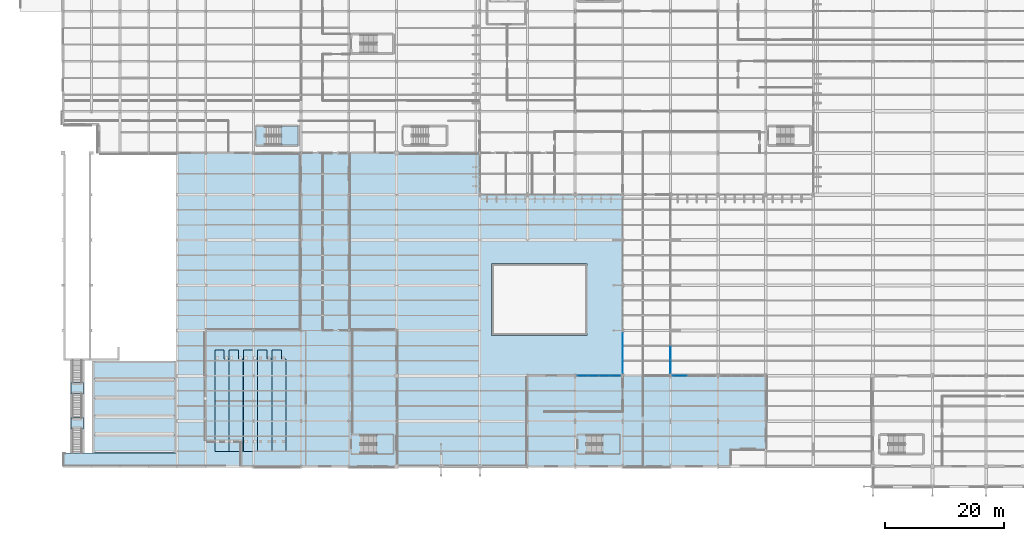
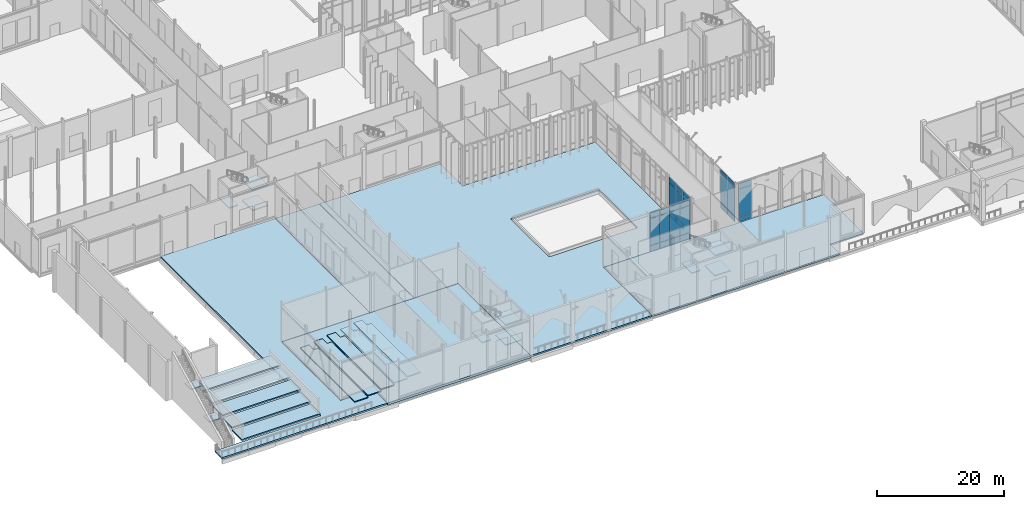
# One storey, part 116 of 176: 30 plates, 26 slabs, 8 elements without a shape of their own.
"""IFC4 building model written with IfcOpenShell, lengths in metres."""

import ifcopenshell
import ifcopenshell.guid

model = None  # the IFC model being written
_history = None  # IfcOwnerHistory: only IFC2X3 demands one
_inside = {}  # id of a spatial element -> (the spatial element, [elements in it])
_under = {}  # id of a project, library or spatial element -> (it, [spatial elements below it])
_declared = {}  # id of a project -> (the project, [libraries it declares])
_typed = {}  # id of a type object -> (the type object, [elements of that type])
_made_of = {}  # id of a material, layer set ... -> (it, [elements and type objects made of it])


def new_model(schema):
    """Start an empty IFC model of exactly this schema.

    Asked for "IFC4X3", IfcOpenShell would pick the latest addendum, in which some entities
    have other attributes; the version numbers below select the first issue.
    IFC2X3 requires an IfcOwnerHistory on every rooted entity: one is made here for all.
    """
    global model, _history
    if schema == "IFC4X3":
        model = ifcopenshell.file(schema_version=(4, 3, 0, 0))
    else:
        model = ifcopenshell.file(schema=schema)
    _inside.clear()
    _under.clear()
    _declared.clear()
    _typed.clear()
    _made_of.clear()
    _history = None
    if model.schema == "IFC2X3":
        org = make("IfcOrganization", Name="unknown")
        user = make(
            "IfcPersonAndOrganization",
            ThePerson=make("IfcPerson", FamilyName="unknown"),
            TheOrganization=org,
        )
        app = make(
            "IfcApplication",
            ApplicationDeveloper=org,
            Version="unknown",
            ApplicationFullName="unknown",
            ApplicationIdentifier="unknown",
        )
        _history = make(
            "IfcOwnerHistory",
            OwningUser=user,
            OwningApplication=app,
            ChangeAction="ADDED",
            CreationDate=0,
        )
    return model


def make(cls, **values):
    """One entity of the class cls with the attributes given. An attribute that is None is left unset."""
    return model.create_entity(
        cls, **{name: value for name, value in values.items() if value is not None}
    )


def rooted(cls, **values):
    """An entity with a GlobalId (a new one), such as an element, a storey or a relation."""
    return make(cls, GlobalId=ifcopenshell.guid.new(), OwnerHistory=_history, **values)


def si_unit(unit_type, name, prefix=None):
    """IfcSIUnit, for example si_unit("LENGTHUNIT", "METRE", prefix="MILLI")."""
    return make("IfcSIUnit", UnitType=unit_type, Prefix=prefix, Name=name)


def assignment(units):
    """IfcUnitAssignment: the units of a project."""
    return None if units is None else make("IfcUnitAssignment", Units=units)


def point(xyz):
    """IfcCartesianPoint."""
    return None if xyz is None else make("IfcCartesianPoint", Coordinates=xyz)


def direction(xyz):
    """IfcDirection."""
    return None if xyz is None else make("IfcDirection", DirectionRatios=xyz)


def frame(location, z_axis=None, x_axis=None):
    """IfcAxis2Placement3D, a coordinate frame: its origin and axes. An axis left out is left unset."""
    return make(
        "IfcAxis2Placement3D",
        Location=point(location),
        Axis=direction(z_axis),
        RefDirection=direction(x_axis),
    )


def frame_2d(location, x_axis=None):
    """IfcAxis2Placement2D, a coordinate frame in the plane: its origin and x axis."""
    return make(
        "IfcAxis2Placement2D", Location=point(location), RefDirection=direction(x_axis)
    )


def origin():
    """The frame at (0, 0, 0) with its axes left unset."""
    return frame((0.0, 0.0, 0.0))


def origin_2d():
    """The frame at (0, 0) in the plane with its x axis left unset."""
    return frame_2d((0.0, 0.0))


def place(relative_to, where):
    """IfcLocalPlacement: puts the frame where relative to a parent placement (None: the world)."""
    return make(
        "IfcLocalPlacement", PlacementRelTo=relative_to, RelativePlacement=where
    )


def context(
    kind, dimensions, precision=None, world=None, true_north=None, identifier=None
):
    """IfcGeometricRepresentationContext, for example the 3D "Model" context."""
    return make(
        "IfcGeometricRepresentationContext",
        ContextIdentifier=identifier,
        ContextType=kind,
        CoordinateSpaceDimension=dimensions,
        Precision=precision,
        WorldCoordinateSystem=world,
        TrueNorth=true_north,
    )


def subcontext(parent, identifier, kind, view, scale=None):
    """IfcGeometricRepresentationSubContext, for example "Body" below "Model"."""
    return make(
        "IfcGeometricRepresentationSubContext",
        ContextIdentifier=identifier,
        ContextType=kind,
        ParentContext=parent,
        TargetScale=scale,
        TargetView=view,
    )


def project(units=None, contexts=None):
    """IfcProject with its units and contexts."""
    return rooted(
        "IfcProject",
        Name="project",
        RepresentationContexts=contexts,
        UnitsInContext=assignment(units),
    )


def spatial(cls, under=None, at=None, **own):
    """A site, building, storey or space (cls), placed at a placement, below another one or the project."""
    s = rooted(cls, ObjectPlacement=at, **own)
    if under is not None:
        _under.setdefault(under.id(), (under, []))[1].append(s)
    return s


def polyline(points):
    """IfcPolyline through the points."""
    return make("IfcPolyline", Points=[point(p) for p in points])


def profile(cls, at=None, kind="AREA", **sizes):
    """A parametric profile (cls). Its sizes go by their IFC names, for example OverallWidth=200.0."""
    return make(cls, ProfileType=kind, Position=at, **sizes)


def rectangle(**sizes):
    """IfcRectangleProfileDef."""
    return profile("IfcRectangleProfileDef", **sizes)


def outline(outer, holes=None, kind="AREA"):
    """IfcArbitraryClosedProfileDef: a profile drawn as a closed curve; with holes, ...WithVoids."""
    if holes is None:
        return make("IfcArbitraryClosedProfileDef", ProfileType=kind, OuterCurve=outer)
    return make(
        "IfcArbitraryProfileDefWithVoids",
        ProfileType=kind,
        OuterCurve=outer,
        InnerCurves=holes,
    )


def extrude(swept, where, along, depth):
    """IfcExtrudedAreaSolid: the profile swept, set in the frame where, extruded along a direction by depth."""
    return make(
        "IfcExtrudedAreaSolid",
        SweptArea=swept,
        Position=where,
        ExtrudedDirection=direction(along),
        Depth=depth,
    )


def shape(context_of_items, identifier, shape_type, items):
    """IfcShapeRepresentation: the items that make up one representation, for example the "Body"."""
    return make(
        "IfcShapeRepresentation",
        ContextOfItems=context_of_items,
        RepresentationIdentifier=identifier,
        RepresentationType=shape_type,
        Items=items,
    )


def material(Name=None, Category=None):
    """IfcMaterial."""
    return make("IfcMaterial", Name=Name, Category=Category)


def layer(
    of_material, thickness, ventilated=None, Name=None, Category=None, Priority=None
):
    """IfcMaterialLayer: one layer of a wall or slab, of a material (None: an air gap)."""
    return make(
        "IfcMaterialLayer",
        Material=of_material,
        LayerThickness=thickness,
        IsVentilated=ventilated,
        Name=Name,
        Category=Category,
        Priority=Priority,
    )


def layer_set(layers, Name=None):
    """IfcMaterialLayerSet."""
    return make("IfcMaterialLayerSet", MaterialLayers=layers, LayerSetName=Name)


def made_of(thing, what):
    """Note that an element or type object is made of a material, layer set ...; save() writes the relation."""
    if what is not None:
        _made_of.setdefault(what.id(), (what, []))[1].append(thing)
    return thing


def type_object(cls, material=None, **own):
    """A type object (cls), such as IfcWallType, which elements share."""
    return made_of(rooted(cls, **own), material)


def element(
    cls,
    number,
    at=None,
    inside=None,
    cuts=None,
    type_object=None,
    material=None,
    context=None,
    identifier="Body",
    shape_type=None,
    held_by="IfcProductDefinitionShape",
    body=None,
    shapes=None,
    **own,
):
    """One element of the class cls, such as IfcWall. Its Tag is "e" and its number.

    at: its placement. inside: the storey or other place that contains it. cuts: it is an
    opening in that element (IfcRelVoidsElement). A single representation is given by context,
    identifier, shape_type and body (its items); several are given by shapes. held_by: the class
    of the entity that holds the representations. save() writes the other relations.
    """
    e = rooted(cls, Tag="e%d" % number, ObjectPlacement=at, **own)
    if body is not None:
        shapes = [shape(context, identifier, shape_type, body)]
    if shapes is not None:
        e.Representation = make(held_by, Representations=shapes)
    if inside is not None:
        _inside.setdefault(inside.id(), (inside, []))[1].append(e)
    if cuts is not None:
        rooted(
            "IfcRelVoidsElement", RelatingBuildingElement=cuts, RelatedOpeningElement=e
        )
    if type_object is not None:
        _typed.setdefault(type_object.id(), (type_object, []))[1].append(e)
    return made_of(e, material)


def aggregate(whole, parts):
    """IfcRelAggregates: a whole, such as a stair, and the parts it consists of."""
    return rooted("IfcRelAggregates", RelatingObject=whole, RelatedObjects=parts)


def save(model, path):
    """Write the relations noted so far, then the file.

    IfcRelAggregates (storeys below a building ...), IfcRelContainedInSpatialStructure (elements
    in a storey), IfcRelDefinesByType, IfcRelAssociatesMaterial and IfcRelDeclares: one each for
    every whole, place, type object, material and project.
    """
    for whole, parts in _under.values():
        aggregate(whole, parts)
    for where, things in _inside.values():
        rooted(
            "IfcRelContainedInSpatialStructure",
            RelatedElements=things,
            RelatingStructure=where,
        )
    for kind, things in _typed.values():
        rooted("IfcRelDefinesByType", RelatedObjects=things, RelatingType=kind)
    for what, things in _made_of.values():
        rooted("IfcRelAssociatesMaterial", RelatedObjects=things, RelatingMaterial=what)
    for by, libraries in _declared.values():
        rooted("IfcRelDeclares", RelatingContext=by, RelatedDefinitions=libraries)
    model.write(path)


model = new_model("IFC4")

# Units and contexts
model_context = context("Model", 3, precision=1e-05, world=origin(), true_north=direction((0.0, 1.0)))
body_context = subcontext(model_context, "Body", "Model", "MODEL_VIEW")
ifc_project = project(units=[si_unit("LENGTHUNIT", "METRE"), si_unit("AREAUNIT", "SQUARE_METRE"), si_unit("VOLUMEUNIT", "CUBIC_METRE"), si_unit("PLANEANGLEUNIT", "RADIAN"), si_unit("MASSUNIT", "GRAM", prefix="KILO")], contexts=[model_context])

# Site, building, storey
site_placement = place(None, origin())
site = spatial("IfcSite", under=ifc_project, at=site_placement, CompositionType="ELEMENT")
building_placement = place(site_placement, origin())
building = spatial("IfcBuilding", under=site, at=building_placement, Name="Vekula Escarpment Museum", CompositionType="ELEMENT")
storey_placement = place(building_placement, origin())
storey = spatial("IfcBuildingStorey", under=building, at=storey_placement, Name="L01", CompositionType="ELEMENT", Elevation=0.0)

# Curtain wall, plates
ifc_material_1 = material(Name="Aluminium thermally broken framing", Category="aluminium")
ifc_layer_1 = layer(ifc_material_1, 0.159912109375)
ifc_layer_set_1 = layer_set([ifc_layer_1], Name="Aluminium thermally broken framing")
curtain_wall_type_1 = type_object("IfcCurtainWallType", Name="CW-SYS-02", PredefinedType="NOTDEFINED", material=ifc_layer_set_1)
curtain_wall_1_placement = place(storey_placement, origin())
curtain_wall_1 = element("IfcCurtainWall", 1, at=curtain_wall_1_placement, inside=storey, type_object=curtain_wall_type_1, Name="Curtain Wall CW-L01-002", PredefinedType="NOTDEFINED")
ifc_material_2 = material(Name="Triple UV-filtered museum gallery glass", Category="glass")
ifc_layer_2 = layer(ifc_material_2, 0.035888671875)
ifc_layer_set_2 = layer_set([ifc_layer_2], Name="Triple UV-filtered museum gallery glass")
plate_type_1 = type_object("IfcPlateType", Name="CW-PNL-36", PredefinedType="CURTAIN_PANEL", material=ifc_layer_set_2)
plate_1_placement = place(storey_placement, frame((103.589599609375, 15.199951171875, 0.06494140625), z_axis=(0.0, 0.0, 1.0), x_axis=(-1.0, 0.0, 0.0)))
plate_1 = element("IfcPlate", 2, at=plate_1_placement, type_object=plate_type_1, Name="CW-02 panel 3.1", PredefinedType="CURTAIN_PANEL", context=body_context, shape_type="SweptSolid", body=[
    extrude(rectangle(XDim=2.3291015625, YDim=0.035888671875, at=origin_2d()), origin(), (0.0, 0.0, 1.0), 1.1025390625),
])
plate_2_placement = place(storey_placement, frame((103.589599609375, 15.199951171875, 1.232421875), z_axis=(0.0, 0.0, 1.0), x_axis=(-1.0, 0.0, 0.0)))
plate_2 = element("IfcPlate", 3, at=plate_2_placement, type_object=plate_type_1, Name="CW-02 panel 3.2", PredefinedType="CURTAIN_PANEL", context=body_context, shape_type="SweptSolid", body=[
    extrude(rectangle(XDim=2.3291015625, YDim=0.035888671875, at=origin_2d()), origin(), (0.0, 0.0, 1.0), 5.175048828125),
])
plate_3_placement = place(storey_placement, frame((103.589599609375, 15.199951171875, 6.472412109375), z_axis=(0.0, 0.0, 1.0), x_axis=(-1.0, 0.0, 0.0)))
plate_3 = element("IfcPlate", 4, at=plate_3_placement, type_object=plate_type_1, Name="CW-02 panel 3.3", PredefinedType="CURTAIN_PANEL", context=body_context, shape_type="SweptSolid", body=[
    extrude(rectangle(XDim=2.3291015625, YDim=0.035888671875, at=origin_2d()), origin(), (0.0, 0.0, 1.0), 1.00244140625),
])
aggregate(curtain_wall_1, [plate_1, plate_2, plate_3])

ifc_material_3 = material(Name="Aluminium thermally broken framing", Category="aluminium")
ifc_layer_3 = layer(ifc_material_3, 0.169921875)
ifc_layer_set_3 = layer_set([ifc_layer_3], Name="Aluminium thermally broken framing")
curtain_wall_type_2 = type_object("IfcCurtainWallType", Name="CW-SYS-10", PredefinedType="NOTDEFINED", material=ifc_layer_set_3)
curtain_wall_2_placement = place(storey_placement, origin())
curtain_wall_2 = element("IfcCurtainWall", 5, at=curtain_wall_2_placement, inside=storey, type_object=curtain_wall_type_2, Name="Curtain Wall CW-L01-050", PredefinedType="NOTDEFINED")
plate_4_placement = place(storey_placement, frame((94.0, 21.277099609375, 0.06494140625), z_axis=(0.0, 0.0, 1.0), x_axis=(0.0, -1.0, 0.0)))
plate_4 = element("IfcPlate", 6, at=plate_4_placement, type_object=plate_type_1, Name="CW-10 panel 1.1", PredefinedType="CURTAIN_PANEL", context=body_context, shape_type="SweptSolid", body=[
    extrude(rectangle(XDim=2.19580078125, YDim=0.035888671875, at=origin_2d()), origin(), (0.0, 0.0, 1.0), 1.1025390625),
])
plate_5_placement = place(storey_placement, frame((94.0, 21.277099609375, 1.232421875), z_axis=(0.0, 0.0, 1.0), x_axis=(0.0, -1.0, 0.0)))
plate_5 = element("IfcPlate", 7, at=plate_5_placement, type_object=plate_type_1, Name="CW-10 panel 1.2", PredefinedType="CURTAIN_PANEL", context=body_context, shape_type="SweptSolid", body=[
    extrude(rectangle(XDim=2.19580078125, YDim=0.035888671875, at=origin_2d()), origin(), (0.0, 0.0, 1.0), 5.175048828125),
])
plate_6_placement = place(storey_placement, frame((94.0, 21.277099609375, 6.472412109375), z_axis=(0.0, 0.0, 1.0), x_axis=(0.0, -1.0, 0.0)))
plate_6 = element("IfcPlate", 8, at=plate_6_placement, type_object=plate_type_1, Name="CW-10 panel 1.3", PredefinedType="CURTAIN_PANEL", context=body_context, shape_type="SweptSolid", body=[
    extrude(rectangle(XDim=2.19580078125, YDim=0.035888671875, at=origin_2d()), origin(), (0.0, 0.0, 1.0), 1.00244140625),
])
plate_7_placement = place(storey_placement, frame((94.0, 19.0, 0.06494140625), z_axis=(0.0, 0.0, 1.0), x_axis=(0.0, -1.0, 0.0)))
plate_7 = element("IfcPlate", 9, at=plate_7_placement, type_object=plate_type_1, Name="CW-10 panel 2.1", PredefinedType="CURTAIN_PANEL", context=body_context, shape_type="SweptSolid", body=[
    extrude(rectangle(XDim=2.228271484375, YDim=0.035888671875, at=origin_2d()), origin(), (0.0, 0.0, 1.0), 1.1025390625),
])
plate_8_placement = place(storey_placement, frame((94.0, 19.0, 1.232421875), z_axis=(0.0, 0.0, 1.0), x_axis=(0.0, -1.0, 0.0)))
plate_8 = element("IfcPlate", 10, at=plate_8_placement, type_object=plate_type_1, Name="CW-10 panel 2.2", PredefinedType="CURTAIN_PANEL", context=body_context, shape_type="SweptSolid", body=[
    extrude(rectangle(XDim=2.228271484375, YDim=0.035888671875, at=origin_2d()), origin(), (0.0, 0.0, 1.0), 5.175048828125),
])
plate_9_placement = place(storey_placement, frame((94.0, 19.0, 6.472412109375), z_axis=(0.0, 0.0, 1.0), x_axis=(0.0, -1.0, 0.0)))
plate_9 = element("IfcPlate", 11, at=plate_9_placement, type_object=plate_type_1, Name="CW-10 panel 2.3", PredefinedType="CURTAIN_PANEL", context=body_context, shape_type="SweptSolid", body=[
    extrude(rectangle(XDim=2.228271484375, YDim=0.035888671875, at=origin_2d()), origin(), (0.0, 0.0, 1.0), 1.00244140625),
])
plate_10_placement = place(storey_placement, frame((94.0, 16.722900390625, 0.06494140625), z_axis=(0.0, 0.0, 1.0), x_axis=(0.0, -1.0, 0.0)))
plate_10 = element("IfcPlate", 12, at=plate_10_placement, type_object=plate_type_1, Name="CW-10 panel 3.1", PredefinedType="CURTAIN_PANEL", context=body_context, shape_type="SweptSolid", body=[
    extrude(rectangle(XDim=2.19580078125, YDim=0.035888671875, at=origin_2d()), origin(), (0.0, 0.0, 1.0), 1.1025390625),
])
plate_11_placement = place(storey_placement, frame((94.0, 16.722900390625, 1.232421875), z_axis=(0.0, 0.0, 1.0), x_axis=(0.0, -1.0, 0.0)))
plate_11 = element("IfcPlate", 13, at=plate_11_placement, type_object=plate_type_1, Name="CW-10 panel 3.2", PredefinedType="CURTAIN_PANEL", context=body_context, shape_type="SweptSolid", body=[
    extrude(rectangle(XDim=2.19580078125, YDim=0.035888671875, at=origin_2d()), origin(), (0.0, 0.0, 1.0), 5.175048828125),
])
plate_12_placement = place(storey_placement, frame((94.0, 16.722900390625, 6.472412109375), z_axis=(0.0, 0.0, 1.0), x_axis=(0.0, -1.0, 0.0)))
plate_12 = element("IfcPlate", 14, at=plate_12_placement, type_object=plate_type_1, Name="CW-10 panel 3.3", PredefinedType="CURTAIN_PANEL", context=body_context, shape_type="SweptSolid", body=[
    extrude(rectangle(XDim=2.19580078125, YDim=0.035888671875, at=origin_2d()), origin(), (0.0, 0.0, 1.0), 1.00244140625),
])
aggregate(curtain_wall_2, [plate_4, plate_5, plate_6, plate_7, plate_8, plate_9, plate_10, plate_11, plate_12])

ifc_material_4 = material(Name="Aluminium thermally broken framing", Category="aluminium")
ifc_layer_4 = layer(ifc_material_4, 0.199951171875)
ifc_layer_set_4 = layer_set([ifc_layer_4], Name="Aluminium thermally broken framing")
curtain_wall_type_3 = type_object("IfcCurtainWallType", Name="CW-SYS-03", PredefinedType="NOTDEFINED", material=ifc_layer_set_4)
curtain_wall_3_placement = place(storey_placement, origin())
curtain_wall_3 = element("IfcCurtainWall", 15, at=curtain_wall_3_placement, inside=storey, type_object=curtain_wall_type_3, Name="Curtain Wall CW-L01-003", PredefinedType="NOTDEFINED")
ifc_material_5 = material(Name="Insulated bronze spandrel glass panel", Category="glass")
ifc_layer_5 = layer(ifc_material_5, 0.0400390625)
ifc_layer_set_5 = layer_set([ifc_layer_5], Name="Insulated bronze spandrel glass panel")
plate_type_2 = type_object("IfcPlateType", Name="CW-PNL-40", PredefinedType="CURTAIN_PANEL", material=ifc_layer_set_5)
plate_13_placement = place(storey_placement, frame((102.0, 16.722900390625, 0.06494140625), z_axis=(0.0, 0.0, 1.0), x_axis=(0.0, 1.0, 0.0)))
plate_13 = element("IfcPlate", 16, at=plate_13_placement, type_object=plate_type_2, Name="CW-03 panel 1.1", PredefinedType="CURTAIN_PANEL", context=body_context, shape_type="SweptSolid", body=[
    extrude(rectangle(XDim=2.19580078125, YDim=0.0400390625, at=origin_2d()), origin(), (0.0, 0.0, 1.0), 1.1025390625),
])
plate_14_placement = place(storey_placement, frame((102.0, 16.722900390625, 1.232421875), z_axis=(0.0, 0.0, 1.0), x_axis=(0.0, 1.0, 0.0)))
plate_14 = element("IfcPlate", 17, at=plate_14_placement, type_object=plate_type_2, Name="CW-03 panel 1.2", PredefinedType="CURTAIN_PANEL", context=body_context, shape_type="SweptSolid", body=[
    extrude(rectangle(XDim=2.19580078125, YDim=0.0400390625, at=origin_2d()), origin(), (0.0, 0.0, 1.0), 5.175048828125),
])
plate_15_placement = place(storey_placement, frame((102.0, 16.722900390625, 6.472412109375), z_axis=(0.0, 0.0, 1.0), x_axis=(0.0, 1.0, 0.0)))
plate_15 = element("IfcPlate", 18, at=plate_15_placement, type_object=plate_type_2, Name="CW-03 panel 1.3", PredefinedType="CURTAIN_PANEL", context=body_context, shape_type="SweptSolid", body=[
    extrude(rectangle(XDim=2.19580078125, YDim=0.0400390625, at=origin_2d()), origin(), (0.0, 0.0, 1.0), 1.00244140625),
])
plate_16_placement = place(storey_placement, frame((102.0, 19.0, 0.06494140625), z_axis=(0.0, 0.0, 1.0), x_axis=(0.0, 1.0, 0.0)))
plate_16 = element("IfcPlate", 19, at=plate_16_placement, type_object=plate_type_2, Name="CW-03 panel 2.1", PredefinedType="CURTAIN_PANEL", context=body_context, shape_type="SweptSolid", body=[
    extrude(rectangle(XDim=2.228271484375, YDim=0.0400390625, at=origin_2d()), origin(), (0.0, 0.0, 1.0), 1.1025390625),
])
plate_17_placement = place(storey_placement, frame((102.0, 19.0, 1.232421875), z_axis=(0.0, 0.0, 1.0), x_axis=(0.0, 1.0, 0.0)))
plate_17 = element("IfcPlate", 20, at=plate_17_placement, type_object=plate_type_2, Name="CW-03 panel 2.2", PredefinedType="CURTAIN_PANEL", context=body_context, shape_type="SweptSolid", body=[
    extrude(rectangle(XDim=2.228271484375, YDim=0.0400390625, at=origin_2d()), origin(), (0.0, 0.0, 1.0), 5.175048828125),
])
plate_18_placement = place(storey_placement, frame((102.0, 19.0, 6.472412109375), z_axis=(0.0, 0.0, 1.0), x_axis=(0.0, 1.0, 0.0)))
plate_18 = element("IfcPlate", 21, at=plate_18_placement, type_object=plate_type_2, Name="CW-03 panel 2.3", PredefinedType="CURTAIN_PANEL", context=body_context, shape_type="SweptSolid", body=[
    extrude(rectangle(XDim=2.228271484375, YDim=0.0400390625, at=origin_2d()), origin(), (0.0, 0.0, 1.0), 1.00244140625),
])
aggregate(curtain_wall_3, [plate_13, plate_14, plate_15, plate_16, plate_17, plate_18])

ifc_material_6 = material(Name="Aluminium thermally broken framing", Category="aluminium")
ifc_layer_6 = layer(ifc_material_6, 0.159912109375)
ifc_layer_set_6 = layer_set([ifc_layer_6], Name="Aluminium thermally broken framing")
curtain_wall_type_4 = type_object("IfcCurtainWallType", Name="CW-SYS-01", PredefinedType="NOTDEFINED", material=ifc_layer_set_6)
curtain_wall_4_placement = place(storey_placement, origin())
curtain_wall_4 = element("IfcCurtainWall", 22, at=curtain_wall_4_placement, inside=storey, type_object=curtain_wall_type_4, Name="Curtain Wall CW-L01-051", PredefinedType="NOTDEFINED")
plate_19_placement = place(storey_placement, frame((92.7138671875, 15.199951171875, 0.06494140625), z_axis=(0.0, 0.0, 1.0), x_axis=(-1.0, 0.0, 0.0)))
plate_19 = element("IfcPlate", 23, at=plate_19_placement, type_object=plate_type_2, Name="CW-01 panel 1.1", PredefinedType="CURTAIN_PANEL", context=body_context, shape_type="SweptSolid", body=[
    extrude(rectangle(XDim=1.722412109375, YDim=0.0400390625, at=origin_2d()), origin(), (0.0, 0.0, 1.0), 1.1025390625),
])
plate_20_placement = place(storey_placement, frame((92.7138671875, 15.199951171875, 1.232421875), z_axis=(0.0, 0.0, 1.0), x_axis=(-1.0, 0.0, 0.0)))
plate_20 = element("IfcPlate", 24, at=plate_20_placement, type_object=plate_type_2, Name="CW-01 panel 1.2", PredefinedType="CURTAIN_PANEL", context=body_context, shape_type="SweptSolid", body=[
    extrude(rectangle(XDim=1.722412109375, YDim=0.0400390625, at=origin_2d()), origin(), (0.0, 0.0, 1.0), 5.175048828125),
])
plate_21_placement = place(storey_placement, frame((92.7138671875, 15.199951171875, 6.472412109375), z_axis=(0.0, 0.0, 1.0), x_axis=(-1.0, 0.0, 0.0)))
plate_21 = element("IfcPlate", 25, at=plate_21_placement, type_object=plate_type_2, Name="CW-01 panel 1.3", PredefinedType="CURTAIN_PANEL", context=body_context, shape_type="SweptSolid", body=[
    extrude(rectangle(XDim=1.722412109375, YDim=0.0400390625, at=origin_2d()), origin(), (0.0, 0.0, 1.0), 1.00244140625),
])
plate_22_placement = place(storey_placement, frame((90.909912109375, 15.199951171875, 0.06494140625), z_axis=(0.0, 0.0, 1.0), x_axis=(-1.0, 0.0, 0.0)))
plate_22 = element("IfcPlate", 26, at=plate_22_placement, type_object=plate_type_2, Name="CW-01 panel 2.1", PredefinedType="CURTAIN_PANEL", context=body_context, shape_type="SweptSolid", body=[
    extrude(rectangle(XDim=1.7548828125, YDim=0.0400390625, at=origin_2d()), origin(), (0.0, 0.0, 1.0), 1.1025390625),
])
plate_23_placement = place(storey_placement, frame((90.909912109375, 15.199951171875, 1.232421875), z_axis=(0.0, 0.0, 1.0), x_axis=(-1.0, 0.0, 0.0)))
plate_23 = element("IfcPlate", 27, at=plate_23_placement, type_object=plate_type_2, Name="CW-01 panel 2.2", PredefinedType="CURTAIN_PANEL", context=body_context, shape_type="SweptSolid", body=[
    extrude(rectangle(XDim=1.7548828125, YDim=0.0400390625, at=origin_2d()), origin(), (0.0, 0.0, 1.0), 5.175048828125),
])
plate_24_placement = place(storey_placement, frame((90.909912109375, 15.199951171875, 6.472412109375), z_axis=(0.0, 0.0, 1.0), x_axis=(-1.0, 0.0, 0.0)))
plate_24 = element("IfcPlate", 28, at=plate_24_placement, type_object=plate_type_2, Name="CW-01 panel 2.3", PredefinedType="CURTAIN_PANEL", context=body_context, shape_type="SweptSolid", body=[
    extrude(rectangle(XDim=1.7548828125, YDim=0.0400390625, at=origin_2d()), origin(), (0.0, 0.0, 1.0), 1.00244140625),
])
plate_25_placement = place(storey_placement, frame((89.090087890625, 15.199951171875, 0.06494140625), z_axis=(0.0, 0.0, 1.0), x_axis=(-1.0, 0.0, 0.0)))
plate_25 = element("IfcPlate", 29, at=plate_25_placement, type_object=plate_type_2, Name="CW-01 panel 3.1", PredefinedType="CURTAIN_PANEL", context=body_context, shape_type="SweptSolid", body=[
    extrude(rectangle(XDim=1.7548828125, YDim=0.0400390625, at=origin_2d()), origin(), (0.0, 0.0, 1.0), 1.1025390625),
])
plate_26_placement = place(storey_placement, frame((89.090087890625, 15.199951171875, 1.232421875), z_axis=(0.0, 0.0, 1.0), x_axis=(-1.0, 0.0, 0.0)))
plate_26 = element("IfcPlate", 30, at=plate_26_placement, type_object=plate_type_2, Name="CW-01 panel 3.2", PredefinedType="CURTAIN_PANEL", context=body_context, shape_type="SweptSolid", body=[
    extrude(rectangle(XDim=1.7548828125, YDim=0.0400390625, at=origin_2d()), origin(), (0.0, 0.0, 1.0), 5.175048828125),
])
plate_27_placement = place(storey_placement, frame((89.090087890625, 15.199951171875, 6.472412109375), z_axis=(0.0, 0.0, 1.0), x_axis=(-1.0, 0.0, 0.0)))
plate_27 = element("IfcPlate", 31, at=plate_27_placement, type_object=plate_type_2, Name="CW-01 panel 3.3", PredefinedType="CURTAIN_PANEL", context=body_context, shape_type="SweptSolid", body=[
    extrude(rectangle(XDim=1.7548828125, YDim=0.0400390625, at=origin_2d()), origin(), (0.0, 0.0, 1.0), 1.00244140625),
])
plate_28_placement = place(storey_placement, frame((87.2861328125, 15.199951171875, 0.06494140625), z_axis=(0.0, 0.0, 1.0), x_axis=(-1.0, 0.0, 0.0)))
plate_28 = element("IfcPlate", 32, at=plate_28_placement, type_object=plate_type_2, Name="CW-01 panel 4.1", PredefinedType="CURTAIN_PANEL", context=body_context, shape_type="SweptSolid", body=[
    extrude(rectangle(XDim=1.722412109375, YDim=0.0400390625, at=origin_2d()), origin(), (0.0, 0.0, 1.0), 1.1025390625),
])
plate_29_placement = place(storey_placement, frame((87.2861328125, 15.199951171875, 1.232421875), z_axis=(0.0, 0.0, 1.0), x_axis=(-1.0, 0.0, 0.0)))
plate_29 = element("IfcPlate", 33, at=plate_29_placement, type_object=plate_type_2, Name="CW-01 panel 4.2", PredefinedType="CURTAIN_PANEL", context=body_context, shape_type="SweptSolid", body=[
    extrude(rectangle(XDim=1.722412109375, YDim=0.0400390625, at=origin_2d()), origin(), (0.0, 0.0, 1.0), 5.175048828125),
])
plate_30_placement = place(storey_placement, frame((87.2861328125, 15.199951171875, 6.472412109375), z_axis=(0.0, 0.0, 1.0), x_axis=(-1.0, 0.0, 0.0)))
plate_30 = element("IfcPlate", 34, at=plate_30_placement, type_object=plate_type_2, Name="CW-01 panel 4.3", PredefinedType="CURTAIN_PANEL", context=body_context, shape_type="SweptSolid", body=[
    extrude(rectangle(XDim=1.722412109375, YDim=0.0400390625, at=origin_2d()), origin(), (0.0, 0.0, 1.0), 1.00244140625),
])
aggregate(curtain_wall_4, [plate_19, plate_20, plate_21, plate_22, plate_23, plate_24, plate_25, plate_26, plate_27, plate_28, plate_29, plate_30])

# Slabs
ifc_material_7 = material(Name="Precast concrete C40/50", Category="concrete")
ifc_layer_7 = layer(ifc_material_7, 0.25)
ifc_layer_set_7 = layer_set([ifc_layer_7], Name="Precast concrete C40/50")
slab_type_1 = type_object("IfcSlabType", Name="SL-AMP-SEAT", PredefinedType="FLOOR", material=ifc_layer_set_7)
slab_1_placement = place(storey_placement, frame((0.0, 0.0, 0.199951171875)))
element("IfcSlab", 35, at=slab_1_placement, inside=storey, type_object=slab_type_1, Name="Stepped Sandstone Plinth Ledge AMP-SEAT-01", PredefinedType="FLOOR", context=body_context, shape_type="SweptSolid", body=[
    extrude(outline(polyline([(4.89990234375, 2.25), (19.10009765625, 2.25), (19.10009765625, 5.300048828125), (4.89990234375, 5.300048828125), (4.89990234375, 2.25)])), origin(), (0.0, 0.0, 1.0), 0.25),
])
slab_2_placement = place(storey_placement, frame((0.0, 0.0, 0.64990234375)))
element("IfcSlab", 36, at=slab_2_placement, inside=storey, type_object=slab_type_1, Name="Stepped Sandstone Plinth Ledge AMP-SEAT-02", PredefinedType="FLOOR", context=body_context, shape_type="SweptSolid", body=[
    extrude(outline(polyline([(4.89990234375, 5.330078125), (19.10009765625, 5.330078125), (19.10009765625, 8.39990234375), (4.89990234375, 8.39990234375), (4.89990234375, 5.330078125)])), origin(), (0.0, 0.0, 1.0), 0.25),
])
slab_3_placement = place(storey_placement, frame((0.0, 0.0, 1.10009765625)))
element("IfcSlab", 37, at=slab_3_placement, inside=storey, type_object=slab_type_1, Name="Stepped Sandstone Plinth Ledge AMP-SEAT-03", PredefinedType="FLOOR", context=body_context, shape_type="SweptSolid", body=[
    extrude(outline(polyline([(4.89990234375, 8.429931640625), (19.10009765625, 8.429931640625), (19.10009765625, 11.5), (4.89990234375, 11.5), (4.89990234375, 8.429931640625)])), origin(), (0.0, 0.0, 1.0), 0.25),
])
slab_4_placement = place(storey_placement, frame((0.0, 0.0, 1.550048828125)))
element("IfcSlab", 38, at=slab_4_placement, inside=storey, type_object=slab_type_1, Name="Stepped Sandstone Plinth Ledge AMP-SEAT-04", PredefinedType="FLOOR", context=body_context, shape_type="SweptSolid", body=[
    extrude(outline(polyline([(4.89990234375, 11.530029296875), (19.10009765625, 11.530029296875), (19.10009765625, 14.60009765625), (4.89990234375, 14.60009765625), (4.89990234375, 11.530029296875)])), origin(), (0.0, 0.0, 1.0), 0.25),
])
slab_5_placement = place(storey_placement, frame((0.0, 0.0, 2.0)))
element("IfcSlab", 39, at=slab_5_placement, inside=storey, type_object=slab_type_1, Name="Stepped Sandstone Plinth Ledge AMP-SEAT-05", PredefinedType="FLOOR", context=body_context, shape_type="SweptSolid", body=[
    extrude(outline(polyline([(4.89990234375, 14.6298828125), (19.10009765625, 14.6298828125), (19.10009765625, 17.719970703125), (4.89990234375, 17.719970703125), (4.89990234375, 14.6298828125)])), origin(), (0.0, 0.0, 1.0), 0.25),
])
ifc_material_8 = material(Name="Precast concrete C40/50", Category="concrete")
ifc_layer_8 = layer(ifc_material_8, 0.179931640625)
ifc_layer_set_8 = layer_set([ifc_layer_8], Name="Precast concrete C40/50")
slab_type_2 = type_object("IfcSlabType", Name="SL-AUD-180", PredefinedType="FLOOR", material=ifc_layer_set_8)
slab_6_placement = place(storey_placement, frame((0.0, 0.0, 0.179931640625)))
element("IfcSlab", 40, at=slab_6_placement, inside=storey, type_object=slab_type_2, Name="Auditorium Stepped Deck 01", PredefinedType="FLOOR", context=body_context, shape_type="SweptSolid", body=[
    extrude(outline(polyline([(25.5, 2.5), (27.8798828125, 2.5), (27.8798828125, 18.0), (27.080078125, 18.0), (27.080078125, 19.5), (25.5, 19.5), (25.5, 2.5)])), origin(), (0.0, 0.0, 1.0), 0.18017578125),
])
slab_7_placement = place(storey_placement, frame((0.0, 0.0, 0.5400390625)))
element("IfcSlab", 41, at=slab_7_placement, inside=storey, type_object=slab_type_2, Name="Auditorium Stepped Deck 02", PredefinedType="FLOOR", context=body_context, shape_type="SweptSolid", body=[
    extrude(outline(polyline([(27.89990234375, 2.5), (30.280029296875, 2.5), (30.280029296875, 18.0), (29.47998046875, 18.0), (29.47998046875, 19.5), (27.89990234375, 19.5), (27.89990234375, 2.5)])), origin(), (0.0, 0.0, 1.0), 0.179931640625),
])
slab_8_placement = place(storey_placement, frame((0.0, 0.0, 0.89990234375)))
element("IfcSlab", 42, at=slab_8_placement, inside=storey, type_object=slab_type_2, Name="Auditorium Stepped Deck 03", PredefinedType="FLOOR", context=body_context, shape_type="SweptSolid", body=[
    extrude(outline(polyline([(30.300048828125, 2.5), (32.679931640625, 2.5), (32.679931640625, 18.0), (31.8798828125, 18.0), (31.8798828125, 19.5), (30.300048828125, 19.5), (30.300048828125, 2.5)])), origin(), (0.0, 0.0, 1.0), 0.18017578125),
])
slab_9_placement = place(storey_placement, frame((0.0, 0.0, 1.260009765625)))
element("IfcSlab", 43, at=slab_9_placement, inside=storey, type_object=slab_type_2, Name="Auditorium Stepped Deck 04", PredefinedType="FLOOR", context=body_context, shape_type="SweptSolid", body=[
    extrude(outline(polyline([(32.699951171875, 2.5), (35.080078125, 2.5), (35.080078125, 18.0), (34.280029296875, 18.0), (34.280029296875, 19.5), (32.699951171875, 19.5), (32.699951171875, 2.5)])), origin(), (0.0, 0.0, 1.0), 0.179931640625),
])
slab_10_placement = place(storey_placement, frame((0.0, 0.0, 1.6201171875)))
element("IfcSlab", 44, at=slab_10_placement, inside=storey, type_object=slab_type_2, Name="Auditorium Stepped Deck 05", PredefinedType="FLOOR", context=body_context, shape_type="SweptSolid", body=[
    extrude(outline(polyline([(35.10009765625, 2.5), (37.47998046875, 2.5), (37.47998046875, 18.0), (36.679931640625, 18.0), (36.679931640625, 19.5), (35.10009765625, 19.5), (35.10009765625, 2.5)])), origin(), (0.0, 0.0, 1.0), 0.179931640625),
])
ifc_material_9 = material(Name="Concrete C35/45", Category="concrete")
ifc_layer_9 = layer(ifc_material_9, 0.449951171875)
ifc_layer_set_9 = layer_set([ifc_layer_9], Name="Concrete C35/45")
slab_type_3 = type_object("IfcSlabType", Name="SL-BASE-450", PredefinedType="FLOOR", material=ifc_layer_set_9)
slab_11_placement = place(storey_placement, frame((0.0, 0.0, -0.449951171875)))
element("IfcSlab", 45, at=slab_11_placement, inside=storey, type_object=slab_type_3, Name="Floor Slab W-L01-V4-SW", PredefinedType="FLOOR", context=body_context, shape_type="SweptSolid", body=[
    extrude(outline(polyline([(30.0, 0.0), (56.0, 0.0), (56.0, 22.800048828125), (24.0, 22.800048828125), (24.0, 4.33203125), (30.0, 4.33203125), (30.0, 0.0)])), origin(), (0.0, 0.0, 1.0), 0.449951171875),
])
ifc_material_10 = material(Name="Concrete C35/45", Category="concrete")
ifc_layer_10 = layer(ifc_material_10, 0.300048828125)
ifc_layer_set_10 = layer_set([ifc_layer_10], Name="Concrete C35/45")
slab_type_4 = type_object("IfcSlabType", Name="SL-FLR-300", PredefinedType="FLOOR", material=ifc_layer_set_10)
slab_12_placement = place(storey_placement, frame((0.0, 0.0, -0.300048828125)))
element("IfcSlab", 46, at=slab_12_placement, inside=storey, type_object=slab_type_4, Name="Floor Slab W-L01-V4-SLK", PredefinedType="FLOOR", context=body_context, shape_type="SweptSolid", body=[
    extrude(outline(polyline([(40.0, 22.800048828125), (48.0, 22.800048828125), (48.0, 52.60009765625), (40.0, 52.60009765625), (40.0, 22.800048828125)])), origin(), (0.0, 0.0, 1.0), 0.300048828125),
])
slab_13_placement = place(storey_placement, frame((0.0, 0.0, -0.300048828125)))
element("IfcSlab", 47, at=slab_13_placement, inside=storey, type_object=slab_type_4, Name="Floor Slab W-L01-V2-S", PredefinedType="FLOOR", context=body_context, shape_type="SweptSolid", body=[
    extrude(outline(polyline([(78.0, 0.0), (112.0, 0.0), (112.0, 2.887939453125), (118.0, 2.887939453125), (118.0, 15.199951171875), (78.0, 15.199951171875), (78.0, 0.0)])), origin(), (0.0, 0.0, 1.0), 0.300048828125),
])

# Stair, slabs
ifc_material_11 = material(Name="Precast concrete C40/50", Category="concrete")
stair_type_1 = type_object("IfcStairType", Name="STR-AMP-165", PredefinedType="STRAIGHT_RUN_STAIR", material=ifc_material_11)
stair_1_placement = place(storey_placement, origin())
stair_1 = element("IfcStair", 48, at=stair_1_placement, inside=storey, type_object=stair_type_1, Name="South Escarpment Plinth Stair Tier 1 ST-AMP-S1", PredefinedType="STRAIGHT_RUN_STAIR")
ifc_material_12 = material(Name="Concrete C35/45", Category="concrete")
ifc_layer_11 = layer(ifc_material_12, 0.199951171875)
ifc_layer_set_11 = layer_set([ifc_layer_11], Name="Concrete C35/45")
slab_type_5 = type_object("IfcSlabType", Name="SL-LAND-200", PredefinedType="LANDING", material=ifc_layer_set_11)
slab_14_placement = place(storey_placement, frame((0.0, 0.0, 2.458984375)))
slab_14 = element("IfcSlab", 49, at=slab_14_placement, type_object=slab_type_5, Name="ST-AMP-S1 landing 1", PredefinedType="LANDING", context=body_context, shape_type="SweptSolid", body=[
    extrude(outline(polyline([(1.35009765625, 6.22998046875), (3.449951171875, 6.22998046875), (3.449951171875, 8.159912109375), (1.35009765625, 8.159912109375), (1.35009765625, 6.22998046875)])), origin(), (0.0, 0.0, 1.0), 0.2001953125),
])
slab_15_placement = place(storey_placement, frame((0.0, 0.0, 5.1181640625)))
slab_15 = element("IfcSlab", 50, at=slab_15_placement, type_object=slab_type_5, Name="ST-AMP-S1 landing 2", PredefinedType="LANDING", context=body_context, shape_type="SweptSolid", body=[
    extrude(outline(polyline([(1.35009765625, 12.139892578125), (3.449951171875, 12.139892578125), (3.449951171875, 14.070068359375), (1.35009765625, 14.070068359375), (1.35009765625, 12.139892578125)])), origin(), (0.0, 0.0, 1.0), 0.199951171875),
])
aggregate(stair_1, [slab_14, slab_15])

ifc_material_13 = material(Name="Concrete C35/45", Category="concrete")
stair_type_2 = type_object("IfcStairType", Name="STR-TYPE-142", PredefinedType="HALF_TURN_STAIR", material=ifc_material_13)
stair_2_placement = place(storey_placement, origin())
stair_2 = element("IfcStair", 51, at=stair_2_placement, inside=storey, type_object=stair_type_2, Name="L01 Plinth West Exit Stair ST-04", PredefinedType="HALF_TURN_STAIR")
slab_16_placement = place(storey_placement, frame((0.0, 0.0, 1.75)))
slab_16 = element("IfcSlab", 52, at=slab_16_placement, type_object=slab_type_5, Name="ST-04 landing 1", PredefinedType="LANDING", context=body_context, shape_type="SweptSolid", body=[
    extrude(outline(polyline([(36.6298828125, 53.909912109375), (39.489990234375, 53.909912109375), (39.489990234375, 57.1298828125), (36.6298828125, 57.1298828125), (36.6298828125, 53.909912109375)])), origin(), (0.0, 0.0, 1.0), 0.199951171875),
])
slab_17_placement = place(storey_placement, frame((0.0, 0.0, 3.699951171875)))
slab_17 = element("IfcSlab", 53, at=slab_17_placement, type_object=slab_type_5, Name="ST-04 landing 2", PredefinedType="LANDING", context=body_context, shape_type="SweptSolid", body=[
    extrude(outline(polyline([(32.409912109375, 53.909912109375), (34.010009765625, 53.909912109375), (34.010009765625, 57.1298828125), (32.409912109375, 57.1298828125), (32.409912109375, 53.909912109375)])), origin(), (0.0, 0.0, 1.0), 0.199951171875),
])
slab_18_placement = place(storey_placement, frame((0.0, 0.0, 5.64990234375)))
slab_18 = element("IfcSlab", 54, at=slab_18_placement, type_object=slab_type_5, Name="ST-04 landing 3", PredefinedType="LANDING", context=body_context, shape_type="SweptSolid", body=[
    extrude(outline(polyline([(36.6298828125, 53.909912109375), (39.489990234375, 53.909912109375), (39.489990234375, 57.1298828125), (36.6298828125, 57.1298828125), (36.6298828125, 53.909912109375)])), origin(), (0.0, 0.0, 1.0), 0.2001953125),
])
aggregate(stair_2, [slab_16, slab_17, slab_18])

stair_3_placement = place(storey_placement, origin())
stair_3 = element("IfcStair", 55, at=stair_3_placement, inside=storey, type_object=stair_type_2, Name="L01 Auditorium West Exit Stair ST-07", PredefinedType="HALF_TURN_STAIR")
slab_19_placement = place(storey_placement, frame((0.0, 0.0, 1.75)))
slab_19 = element("IfcSlab", 56, at=slab_19_placement, type_object=slab_type_5, Name="ST-07 landing 1", PredefinedType="LANDING", context=body_context, shape_type="SweptSolid", body=[
    extrude(outline(polyline([(52.6298828125, 2.110107421875), (55.489990234375, 2.110107421875), (55.489990234375, 5.330078125), (52.6298828125, 5.330078125), (52.6298828125, 2.110107421875)])), origin(), (0.0, 0.0, 1.0), 0.199951171875),
])
slab_20_placement = place(storey_placement, frame((0.0, 0.0, 3.699951171875)))
slab_20 = element("IfcSlab", 57, at=slab_20_placement, type_object=slab_type_5, Name="ST-07 landing 2", PredefinedType="LANDING", context=body_context, shape_type="SweptSolid", body=[
    extrude(outline(polyline([(48.409912109375, 2.110107421875), (50.010009765625, 2.110107421875), (50.010009765625, 5.330078125), (48.409912109375, 5.330078125), (48.409912109375, 2.110107421875)])), origin(), (0.0, 0.0, 1.0), 0.199951171875),
])
slab_21_placement = place(storey_placement, frame((0.0, 0.0, 5.64990234375)))
slab_21 = element("IfcSlab", 58, at=slab_21_placement, type_object=slab_type_5, Name="ST-07 landing 3", PredefinedType="LANDING", context=body_context, shape_type="SweptSolid", body=[
    extrude(outline(polyline([(52.6298828125, 2.110107421875), (55.489990234375, 2.110107421875), (55.489990234375, 5.330078125), (52.6298828125, 5.330078125), (52.6298828125, 2.110107421875)])), origin(), (0.0, 0.0, 1.0), 0.2001953125),
])
aggregate(stair_3, [slab_19, slab_20, slab_21])

stair_4_placement = place(storey_placement, origin())
stair_4 = element("IfcStair", 59, at=stair_4_placement, inside=storey, type_object=stair_type_2, Name="L01 South Courtyard Pavilion Exit Stair ST-11", PredefinedType="HALF_TURN_STAIR")
slab_22_placement = place(storey_placement, frame((0.0, 0.0, 1.75)))
slab_22 = element("IfcSlab", 60, at=slab_22_placement, type_object=slab_type_5, Name="ST-11 landing 1", PredefinedType="LANDING", context=body_context, shape_type="SweptSolid", body=[
    extrude(outline(polyline([(90.6298828125, 2.110107421875), (93.489990234375, 2.110107421875), (93.489990234375, 5.330078125), (90.6298828125, 5.330078125), (90.6298828125, 2.110107421875)])), origin(), (0.0, 0.0, 1.0), 0.199951171875),
])
slab_23_placement = place(storey_placement, frame((0.0, 0.0, 3.699951171875)))
slab_23 = element("IfcSlab", 61, at=slab_23_placement, type_object=slab_type_5, Name="ST-11 landing 2", PredefinedType="LANDING", context=body_context, shape_type="SweptSolid", body=[
    extrude(outline(polyline([(86.409912109375, 2.110107421875), (88.010009765625, 2.110107421875), (88.010009765625, 5.330078125), (86.409912109375, 5.330078125), (86.409912109375, 2.110107421875)])), origin(), (0.0, 0.0, 1.0), 0.199951171875),
])
slab_24_placement = place(storey_placement, frame((0.0, 0.0, 5.64990234375)))
slab_24 = element("IfcSlab", 62, at=slab_24_placement, type_object=slab_type_5, Name="ST-11 landing 3", PredefinedType="LANDING", context=body_context, shape_type="SweptSolid", body=[
    extrude(outline(polyline([(90.6298828125, 2.110107421875), (93.489990234375, 2.110107421875), (93.489990234375, 5.330078125), (90.6298828125, 5.330078125), (90.6298828125, 2.110107421875)])), origin(), (0.0, 0.0, 1.0), 0.2001953125),
])
aggregate(stair_4, [slab_22, slab_23, slab_24])

# Slabs
ifc_material_14 = material(Name="Precast concrete C40/50", Category="concrete")
ifc_layer_12 = layer(ifc_material_14, 0.300048828125)
ifc_layer_set_12 = layer_set([ifc_layer_12], Name="Precast concrete C40/50")
slab_type_6 = type_object("IfcSlabType", Name="SL-TER-300", PredefinedType="FLOOR", material=ifc_layer_set_12)
slab_25_placement = place(storey_placement, frame((0.0, 0.0, -0.300048828125)))
element("IfcSlab", 63, at=slab_25_placement, inside=storey, type_object=slab_type_6, Name="Plinth Courtyard Terrace T-L01-PLN-SW-1", PredefinedType="FLOOR", context=body_context, shape_type="SweptSolid", body=[
    extrude(outline(polyline([(56.014892578125, 22.81494140625), (48.014892578125, 22.81494140625), (48.014892578125, 52.5849609375), (69.985107421875, 52.5849609375), (69.985107421875, 45.5849609375), (93.985107421875, 45.5849609375), (93.985107421875, 15.215087890625), (77.985107421875, 15.215087890625), (77.985107421875, 0.0), (56.014892578125, 0.0), (56.014892578125, 22.81494140625)]), holes=[polyline([(71.985107421875, 34.014892578125), (71.985107421875, 21.985107421875), (88.014892578125, 21.985107421875), (88.014892578125, 34.014892578125), (71.985107421875, 34.014892578125)])]), origin(), (0.0, 0.0, 1.0), 0.300048828125),
])
slab_26_placement = place(storey_placement, frame((0.0, 0.0, -0.300048828125)))
element("IfcSlab", 64, at=slab_26_placement, inside=storey, type_object=slab_type_6, Name="Plinth Courtyard Terrace T-L01-PLN-SW-2", PredefinedType="FLOOR", context=body_context, shape_type="SweptSolid", body=[
    extrude(outline(polyline([(0.0, 0.0), (0.0, 2.235107421875), (19.215087890625, 2.235107421875), (19.215087890625, 52.5849609375), (39.985107421875, 52.5849609375), (39.985107421875, 22.81494140625), (23.985107421875, 22.81494140625), (23.985107421875, 4.31689453125), (29.985107421875, 4.31689453125), (29.985107421875, 0.0), (24.0, 0.0), (0.0, 0.0)])), origin(), (0.0, 0.0, 1.0), 0.300048828125),
])

save(model, "model.ifc")
